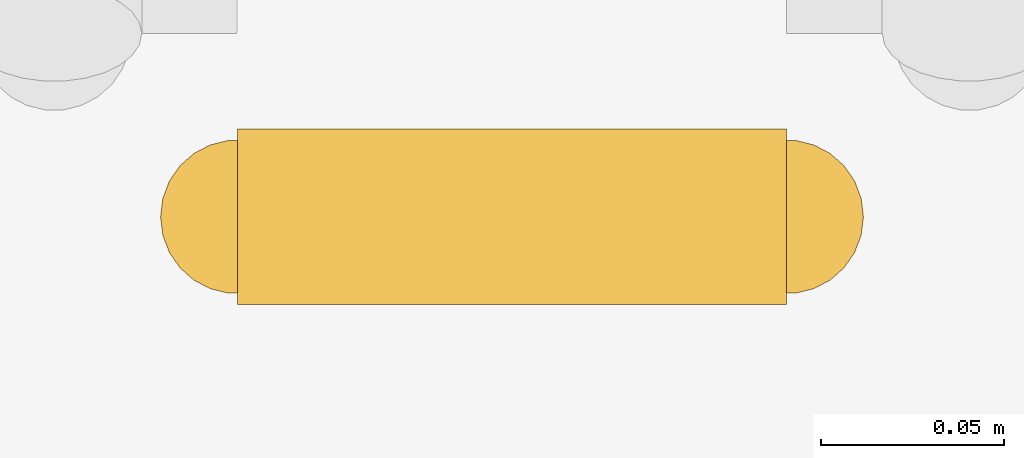
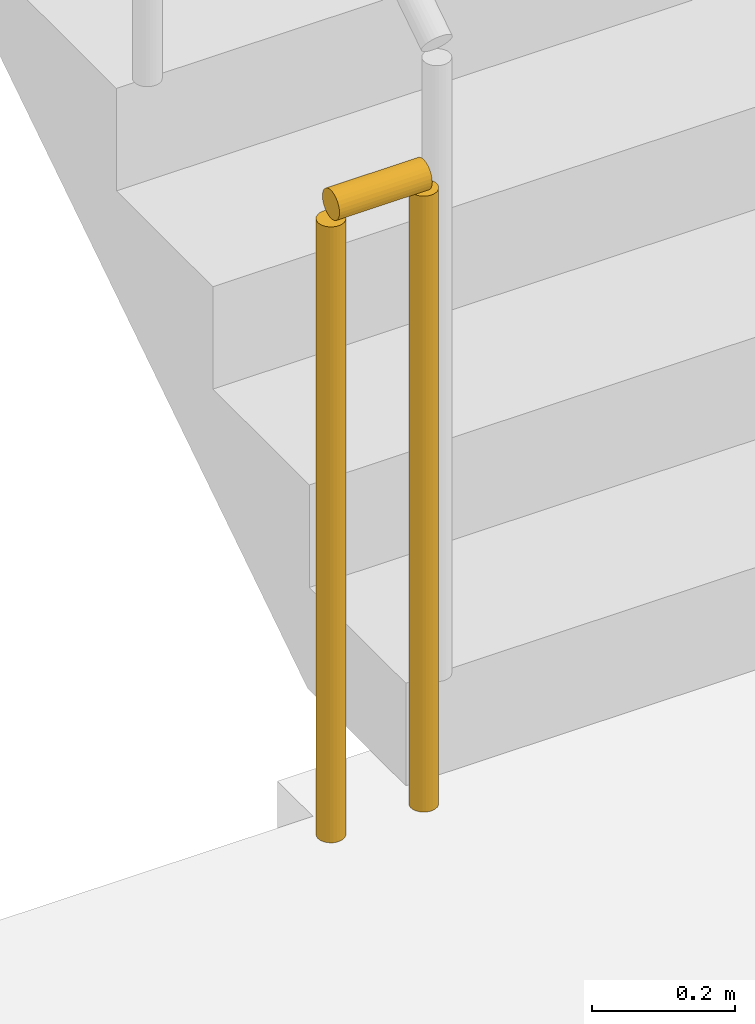
# One storey, part 15 of 20: 1 railing.
"""IFC4 building model written with IfcOpenShell, lengths in metres."""

from ifc_helpers import new_model, si_unit, direction, frame, origin, origin_2d, place, context, subcontext, project, spatial, circle, extrude, material, type_object, element, save


model = new_model("IFC4")

# Units and contexts
model_context = context("Model", 3, precision=1e-05, world=origin(), true_north=direction((0.0, 1.0)))
body_context = subcontext(model_context, "Body", "Model", "MODEL_VIEW")
ifc_project = project(units=[si_unit("LENGTHUNIT", "METRE"), si_unit("AREAUNIT", "SQUARE_METRE"), si_unit("VOLUMEUNIT", "CUBIC_METRE"), si_unit("PLANEANGLEUNIT", "RADIAN"), si_unit("MASSUNIT", "GRAM", prefix="KILO")], contexts=[model_context])

# Site, building, storey
site_placement = place(None, origin())
site = spatial("IfcSite", under=ifc_project, at=site_placement, CompositionType="ELEMENT")
building_placement = place(site_placement, origin())
building = spatial("IfcBuilding", under=site, at=building_placement, Name="Saffron Iwan Residences", CompositionType="ELEMENT")
storey_placement = place(building_placement, frame((0.0, 0.0, 130.5)))
storey = spatial("IfcBuildingStorey", under=building, at=storey_placement, Name="L34", CompositionType="ELEMENT", Elevation=130.5)

# Railing
ifc_material = material(Name="Steel S355", Category="steel")
railing_type = type_object("IfcRailingType", Name="Stair guard 1100", PredefinedType="GUARDRAIL", material=ifc_material)
railing_placement = place(storey_placement, frame((31.25, 67.800048828125, 0.0)))
element("IfcRailing", 1, at=railing_placement, inside=storey, type_object=railing_type, Name="L34 ST-W stair guard 2", PredefinedType="GUARDRAIL", context=body_context, shape_type="SweptSolid", body=[
    extrude(circle(Radius=0.02392578125, at=origin_2d()), frame((0.0, 0.0, 1.076171875), z_axis=(-1.0, 0.0, 0.0), x_axis=(0.0, -1.0, 0.0)), (0.0, 0.0, 1.0), 0.14990234375),
    extrude(circle(Radius=0.02099609375, at=origin_2d()), origin(), (0.0, 0.0, 1.0), 1.052001953125),
    extrude(circle(Radius=0.02099609375, at=origin_2d()), frame((-0.14990234375, 0.0, 0.0)), (0.0, 0.0, 1.0), 1.052001953125),
])

save(model, "model.ifc")
